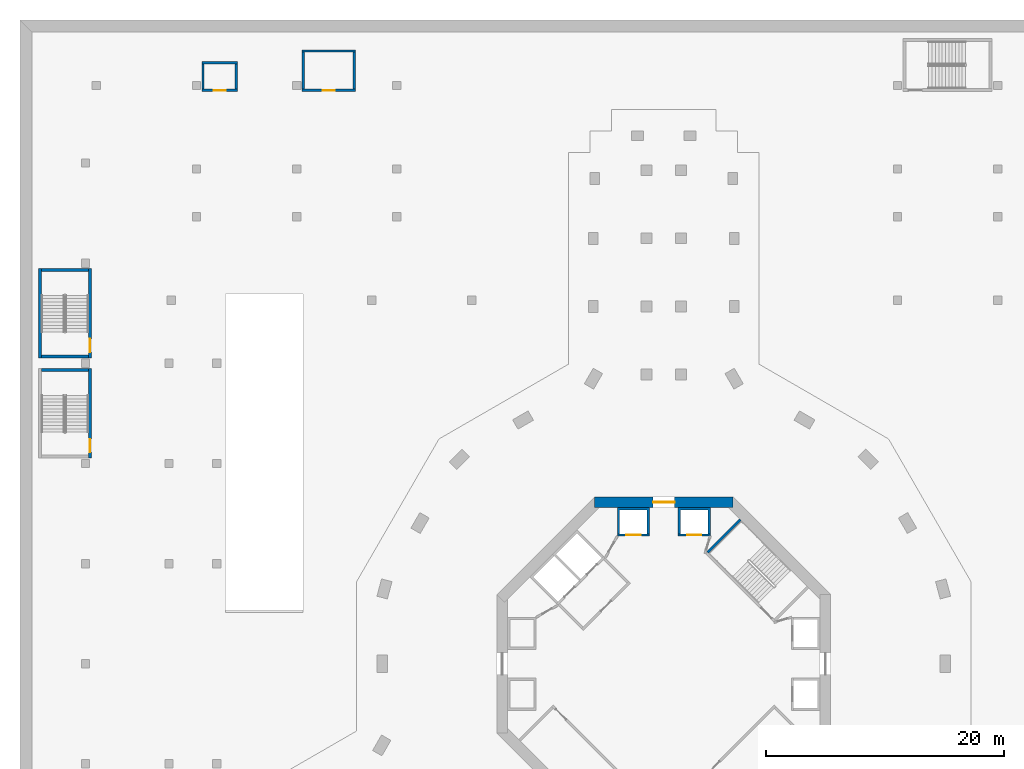
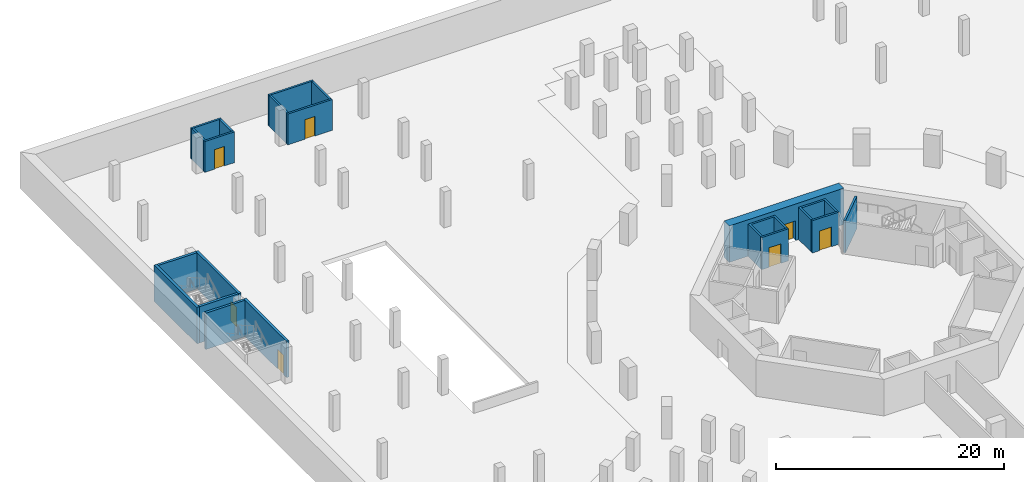
# One storey, part 10 of 25: 20 walls, 7 doors, 7 openings.
"""IFC4 building model written with IfcOpenShell, lengths in metres."""

from ifc_helpers import new_model, si_unit, direction, frame, frame_2d, origin, place, context, subcontext, project, spatial, polyline, rectangle, outline, extrude, material, layer, layer_set, type_object, element, fill, save


model = new_model("IFC4")

# Units and contexts
model_context = context("Model", 3, precision=1e-05, world=origin(), true_north=direction((0.0, 1.0)))
body_context = subcontext(model_context, "Body", "Model", "MODEL_VIEW")
ifc_project = project(units=[si_unit("LENGTHUNIT", "METRE"), si_unit("AREAUNIT", "SQUARE_METRE"), si_unit("VOLUMEUNIT", "CUBIC_METRE"), si_unit("PLANEANGLEUNIT", "RADIAN"), si_unit("MASSUNIT", "GRAM", prefix="KILO")], contexts=[model_context])

# Site, building, storey
site_placement = place(None, origin())
site = spatial("IfcSite", under=ifc_project, at=site_placement, CompositionType="ELEMENT")
building_placement = place(site_placement, origin())
building = spatial("IfcBuilding", under=site, at=building_placement, Name="Verdalira Terraces Hotel", CompositionType="ELEMENT")
storey_placement = place(building_placement, frame((0.0, 0.0, -3.899902)))
storey = spatial("IfcBuildingStorey", under=building, at=storey_placement, Name="B1", CompositionType="ELEMENT", Elevation=-3.89990234375)

# Wall
ifc_material_1 = material(Name="Concrete C50", Category="concrete")
ifc_layer_1 = layer(ifc_material_1, 0.199951171875)
ifc_layer_set_1 = layer_set([ifc_layer_1], Name="Core RC wall 200 C50")
wall_type_1 = type_object("IfcWallType", Name="Core RC wall 200 C50", PredefinedType="SOLIDWALL", material=ifc_layer_set_1)
wall_1_placement = place(storey_placement, origin())
element("IfcWall", 1, at=wall_1_placement, inside=storey, type_object=wall_type_1, Name="B1 shaft wall N1", PredefinedType="SOLIDWALL", context=body_context, shape_type="SweptSolid", body=[
    extrude(outline(polyline([(3.899902, 13.100098), (3.899902, 10.899902), (3.699951, 10.899902), (3.699951, 12.899902), (1.399902, 12.899902), (1.399902, 10.899902), (1.199951, 10.899902), (1.199951, 13.100098), (3.899902, 13.100098)])), origin(), (0.0, 0.0, 1.0), 3.449951),
])

# Wall, opening, door
wall_2_placement = place(storey_placement, frame((1.199951, 10.800049, 0.0), z_axis=(0.0, 0.0, 1.0), x_axis=(1.0, 0.0, 0.0)))
wall_2 = element("IfcWall", 2, at=wall_2_placement, inside=storey, type_object=wall_type_1, Name="B1 shaft front wall N1", PredefinedType="SOLIDWALL", context=body_context, shape_type="SweptSolid", body=[
    extrude(rectangle(XDim=2.699951, YDim=0.199951, at=frame_2d((1.350098, 0.0))), origin(), (0.0, 0.0, 1.0), 3.449951),
])
opening_1_placement = place(wall_2_placement, frame((0.75, 0.0, 0.0)))
opening_1 = element("IfcOpeningElement", 3, at=opening_1_placement, cuts=wall_2, Name="Opening LD-B1-803", PredefinedType="OPENING", context=body_context, shape_type="SweptSolid", body=[
    extrude(rectangle(XDim=1.199951, YDim=2.100098, at=frame_2d((0.600098, 1.050049))), frame((0.0, 0.109863, 0.0), z_axis=(0.0, -1.0, 0.0), x_axis=(1.0, 0.0, 0.0)), (0.0, 0.0, 1.0), 0.219971),
])
ifc_material_2 = material(Name="Stainless steel", Category="steel")
door_type_1 = type_object("IfcDoorType", Name="Landing door 1200 x 2100", OperationType="NOTDEFINED", PredefinedType="DOOR", material=ifc_material_2)
door_1_placement = place(opening_1_placement, origin())
door_1 = element("IfcDoor", 4, at=door_1_placement, inside=storey, type_object=door_type_1, Name="Lift landing door LR3 B1", OperationType="DOUBLE_DOOR_SLIDING", OverallHeight=2.10009765625, OverallWidth=1.199951171875, PredefinedType="DOOR", context=body_context, shape_type="SweptSolid", body=[
    extrude(rectangle(XDim=1.199951, YDim=2.100098, at=frame_2d((0.600098, 1.050049))), frame((0.0, 0.024902, 0.0), z_axis=(0.0, -1.0, 0.0), x_axis=(1.0, 0.0, 0.0)), (0.0, 0.0, 1.0), 0.050049),
])
fill(opening_1, door_1)

# Wall
wall_3_placement = place(storey_placement, origin())
element("IfcWall", 5, at=wall_3_placement, inside=storey, type_object=wall_type_1, Name="B1 shaft wall N2", PredefinedType="SOLIDWALL", context=body_context, shape_type="SweptSolid", body=[
    extrude(outline(polyline([(-3.899902, 10.899902), (-3.899902, 13.100098), (-1.199951, 13.100098), (-1.199951, 10.899902), (-1.399902, 10.899902), (-1.399902, 12.899902), (-3.699951, 12.899902), (-3.699951, 10.899902), (-3.899902, 10.899902)])), origin(), (0.0, 0.0, 1.0), 3.449951),
])

# Wall, opening, door
wall_4_placement = place(storey_placement, frame((-1.199951, 10.800049, 0.0), z_axis=(0.0, 0.0, 1.0), x_axis=(-1.0, 0.0, 0.0)))
wall_4 = element("IfcWall", 6, at=wall_4_placement, inside=storey, type_object=wall_type_1, Name="B1 shaft front wall N2", PredefinedType="SOLIDWALL", context=body_context, shape_type="SweptSolid", body=[
    extrude(rectangle(XDim=2.699951, YDim=0.199951, at=frame_2d((1.350098, 0.0))), origin(), (0.0, 0.0, 1.0), 3.449951),
])
opening_2_placement = place(wall_4_placement, frame((0.75, 0.0, 0.0)))
opening_2 = element("IfcOpeningElement", 7, at=opening_2_placement, cuts=wall_4, Name="Opening LD-B1-804", PredefinedType="OPENING", context=body_context, shape_type="SweptSolid", body=[
    extrude(rectangle(XDim=1.199951, YDim=2.100098, at=frame_2d((0.600098, 1.050049))), frame((0.0, 0.109863, 0.0), z_axis=(0.0, -1.0, 0.0), x_axis=(1.0, 0.0, 0.0)), (0.0, 0.0, 1.0), 0.219971),
])
door_2_placement = place(opening_2_placement, origin())
door_2 = element("IfcDoor", 8, at=door_2_placement, inside=storey, type_object=door_type_1, Name="Lift landing door LR4 B1", OperationType="DOUBLE_DOOR_SLIDING", OverallHeight=2.10009765625, OverallWidth=1.199951171875, PredefinedType="DOOR", context=body_context, shape_type="SweptSolid", body=[
    extrude(rectangle(XDim=1.199951, YDim=2.100098, at=frame_2d((0.600098, 1.050049))), frame((0.0, 0.024902, 0.0), z_axis=(0.0, -1.0, 0.0), x_axis=(1.0, 0.0, 0.0)), (0.0, 0.0, 1.0), 0.050049),
])
fill(opening_2, door_2)

# Wall
wall_5_placement = place(storey_placement, frame((3.677002, 9.33374, 0.0), z_axis=(0.0, 0.0, 1.0), x_axis=(0.707106781, 0.707106781, 0.0)))
element("IfcWall", 9, at=wall_5_placement, inside=storey, type_object=wall_type_1, Name="B1 stair ST1 end wall 2", PredefinedType="SOLIDWALL", context=body_context, shape_type="SweptSolid", body=[
    extrude(rectangle(XDim=3.900146, YDim=0.199951, at=frame_2d((1.950195, 0.0))), origin(), (0.0, 0.0, 1.0), 3.449951),
])

# Wall, opening, door
ifc_material_3 = material(Name="Concrete C70", Category="concrete")
ifc_layer_2 = layer(ifc_material_3, 0.89990234375)
ifc_layer_set_2 = layer_set([ifc_layer_2], Name="Core wall 900 C70")
wall_type_2 = type_object("IfcWallType", Name="Core wall 900 C70", PredefinedType="SHEAR", material=ifc_layer_set_2)
wall_6_placement = place(storey_placement, frame((5.799072, 13.550049, 0.0), z_axis=(0.0, 0.0, 1.0), x_axis=(-1.0, 0.0, 0.0)))
wall_6 = element("IfcWall", 10, at=wall_6_placement, inside=storey, type_object=wall_type_2, Name="Core wall CW-B1-3", PredefinedType="SHEAR", context=body_context, shape_type="SweptSolid", body=[
    extrude(rectangle(XDim=11.598145, YDim=0.899902, at=frame_2d((5.799072, 0.0))), origin(), (0.0, 0.0, 1.0), 3.899902),
])
opening_3_placement = place(wall_6_placement, frame((4.898926, 0.0, 0.0)))
opening_3 = element("IfcOpeningElement", 11, at=opening_3_placement, cuts=wall_6, Name="Opening B1-811", PredefinedType="OPENING", context=body_context, shape_type="SweptSolid", body=[
    extrude(rectangle(XDim=1.800049, YDim=2.100098, at=frame_2d((0.899902, 1.050049))), frame((0.0, 0.459961, 0.0), z_axis=(0.0, -1.0, 0.0), x_axis=(1.0, 0.0, 0.0)), (0.0, 0.0, 1.0), 0.919922),
])
ifc_material_4 = material(Name="Steel fire door", Category="steel")
door_type_2 = type_object("IfcDoorType", Name="Core entry door pair 1800 x 2100", OperationType="NOTDEFINED", PredefinedType="DOOR", material=ifc_material_4)
door_3_placement = place(opening_3_placement, origin())
door_3 = element("IfcDoor", 12, at=door_3_placement, inside=storey, type_object=door_type_2, Name="Core entry door B1 2", OperationType="DOUBLE_DOOR_SINGLE_SWING", OverallHeight=2.10009765625, OverallWidth=1.800048828125, PredefinedType="DOOR", context=body_context, shape_type="SweptSolid", body=[
    extrude(rectangle(XDim=1.800049, YDim=2.100098, at=frame_2d((0.899902, 1.050049))), frame((0.0, 0.024902, 0.0), z_axis=(0.0, -1.0, 0.0), x_axis=(1.0, 0.0, 0.0)), (0.0, 0.0, 1.0), 0.050049),
])
fill(opening_3, door_3)

ifc_material_5 = material(Name="Concrete C40", Category="concrete")
ifc_layer_3 = layer(ifc_material_5, 0.199951171875)
ifc_layer_set_3 = layer_set([ifc_layer_3], Name="Service room wall 200 C40")
wall_type_3 = type_object("IfcWallType", Name="Service room wall 200 C40", PredefinedType="PARTITIONING", material=ifc_layer_set_3)
wall_7_placement = place(storey_placement, frame((-30.350098, 48.100098, 0.0), z_axis=(0.0, 0.0, 1.0), x_axis=(1.0, 0.0, 0.0)))
wall_7 = element("IfcWall", 13, at=wall_7_placement, inside=storey, type_object=wall_type_3, Name="WC wall", PredefinedType="PARTITIONING", context=body_context, shape_type="SweptSolid", body=[
    extrude(rectangle(XDim=4.5, YDim=0.199951, at=frame_2d((2.25, 0.0))), origin(), (0.0, 0.0, 1.0), 3.299805),
])
opening_4_placement = place(wall_7_placement, frame((1.75, 0.0, 0.0)))
opening_4 = element("IfcOpeningElement", 14, at=opening_4_placement, cuts=wall_7, Name="Opening B1-D610", PredefinedType="OPENING", context=body_context, shape_type="SweptSolid", body=[
    extrude(rectangle(XDim=1.0, YDim=2.100098, at=frame_2d((0.5, 1.050049))), frame((0.0, 0.109863, 0.0), z_axis=(0.0, -1.0, 0.0), x_axis=(1.0, 0.0, 0.0)), (0.0, 0.0, 1.0), 0.219971),
])
ifc_material_6 = material(Name="Steel fire door", Category="steel")
door_type_3 = type_object("IfcDoorType", Name="Service room door 1000 x 2100", OperationType="SINGLE_SWING_LEFT", PredefinedType="DOOR", material=ifc_material_6)
door_4_placement = place(opening_4_placement, origin())
door_4 = element("IfcDoor", 15, at=door_4_placement, inside=storey, type_object=door_type_3, Name="WC door", OperationType="SINGLE_SWING_LEFT", OverallHeight=2.10009765625, OverallWidth=1.0, PredefinedType="DOOR", context=body_context, shape_type="SweptSolid", body=[
    extrude(rectangle(XDim=1.0, YDim=2.100098, at=frame_2d((0.5, 1.050049))), frame((0.0, 0.024902, 0.0), z_axis=(0.0, -1.0, 0.0), x_axis=(1.0, 0.0, 0.0)), (0.0, 0.0, 1.0), 0.050049),
])
fill(opening_4, door_4)

# Walls
wall_8_placement = place(storey_placement, frame((-30.350098, 51.399902, 0.0), z_axis=(0.0, 0.0, 1.0), x_axis=(1.0, 0.0, 0.0)))
element("IfcWall", 16, at=wall_8_placement, inside=storey, type_object=wall_type_3, Name="WC wall", PredefinedType="PARTITIONING", context=body_context, shape_type="SweptSolid", body=[
    extrude(rectangle(XDim=4.5, YDim=0.199951, at=frame_2d((2.25, 0.0))), origin(), (0.0, 0.0, 1.0), 3.299805),
])
for number, where, z_axis, x_axis, name in (
    (17, (-30.25, 48.199951, 0.0), (0.0, 0.0, 1.0), (0.0, 1.0, 0.0), "WC wall"),
    (18, (-25.949951, 48.199951, 0.0), (0.0, 0.0, 1.0), (0.0, 1.0, 0.0), "WC wall"),
):
    element("IfcWall", number, at=place(storey_placement, frame(where, z_axis=z_axis, x_axis=x_axis)), inside=storey, type_object=wall_type_3, Name=name, PredefinedType="PARTITIONING", context=body_context, shape_type="SweptSolid", body=[
        extrude(rectangle(XDim=3.100098, YDim=0.199951, at=frame_2d((1.550049, 0.0))), origin(), (0.0, 0.0, 1.0), 3.299805),
    ])

# Wall, opening, door
wall_9_placement = place(storey_placement, frame((-38.75, 48.100098, 0.0), z_axis=(0.0, 0.0, 1.0), x_axis=(1.0, 0.0, 0.0)))
wall_9 = element("IfcWall", 19, at=wall_9_placement, inside=storey, type_object=wall_type_3, Name="Accessible WC wall", PredefinedType="PARTITIONING", context=body_context, shape_type="SweptSolid", body=[
    extrude(rectangle(XDim=3.0, YDim=0.199951, at=frame_2d((1.5, 0.0))), origin(), (0.0, 0.0, 1.0), 3.299805),
])
opening_5_placement = place(wall_9_placement, frame((1.0, 0.0, 0.0)))
opening_5 = element("IfcOpeningElement", 20, at=opening_5_placement, cuts=wall_9, Name="Opening B1-D611", PredefinedType="OPENING", context=body_context, shape_type="SweptSolid", body=[
    extrude(rectangle(XDim=1.0, YDim=2.100098, at=frame_2d((0.5, 1.050049))), frame((0.0, 0.109863, 0.0), z_axis=(0.0, -1.0, 0.0), x_axis=(1.0, 0.0, 0.0)), (0.0, 0.0, 1.0), 0.219971),
])
door_5_placement = place(opening_5_placement, origin())
door_5 = element("IfcDoor", 21, at=door_5_placement, inside=storey, type_object=door_type_3, Name="Accessible WC door", OperationType="SINGLE_SWING_RIGHT", OverallHeight=2.10009765625, OverallWidth=1.0, PredefinedType="DOOR", context=body_context, shape_type="SweptSolid", body=[
    extrude(rectangle(XDim=1.0, YDim=2.100098, at=frame_2d((0.5, 1.050049))), frame((0.0, 0.024902, 0.0), z_axis=(0.0, -1.0, 0.0), x_axis=(1.0, 0.0, 0.0)), (0.0, 0.0, 1.0), 0.050049),
])
fill(opening_5, door_5)

# Walls
wall_10_placement = place(storey_placement, frame((-38.75, 50.399902, 0.0), z_axis=(0.0, 0.0, 1.0), x_axis=(1.0, 0.0, 0.0)))
element("IfcWall", 22, at=wall_10_placement, inside=storey, type_object=wall_type_3, Name="Accessible WC wall", PredefinedType="PARTITIONING", context=body_context, shape_type="SweptSolid", body=[
    extrude(rectangle(XDim=3.0, YDim=0.199951, at=frame_2d((1.5, 0.0))), origin(), (0.0, 0.0, 1.0), 3.299805),
])
for number, where, z_axis, x_axis, name in (
    (23, (-38.649902, 48.199951, 0.0), (0.0, 0.0, 1.0), (0.0, 1.0, 0.0), "Accessible WC wall"),
    (24, (-35.850098, 48.199951, 0.0), (0.0, 0.0, 1.0), (0.0, 1.0, 0.0), "Accessible WC wall"),
):
    element("IfcWall", number, at=place(storey_placement, frame(where, z_axis=z_axis, x_axis=x_axis)), inside=storey, type_object=wall_type_3, Name=name, PredefinedType="PARTITIONING", context=body_context, shape_type="SweptSolid", body=[
        extrude(rectangle(XDim=2.100098, YDim=0.199951, at=frame_2d((1.050049, 0.0))), origin(), (0.0, 0.0, 1.0), 3.299805),
    ])
ifc_material_7 = material(Name="Concrete C40", Category="concrete")
ifc_layer_4 = layer(ifc_material_7, 0.25)
ifc_layer_set_4 = layer_set([ifc_layer_4], Name="Stair enclosure wall 250 C40")
wall_type_4 = type_object("IfcWallType", Name="Stair enclosure wall 250 C40", PredefinedType="SOLIDWALL", material=ifc_layer_set_4)
wall_11_placement = place(storey_placement, frame((-52.324951, 25.649902, 0.0), z_axis=(0.0, 0.0, 1.0), x_axis=(0.0, 1.0, 0.0)))
element("IfcWall", 25, at=wall_11_placement, inside=storey, type_object=wall_type_4, Name="Stair BS4 enclosure wall", PredefinedType="SOLIDWALL", context=body_context, shape_type="SweptSolid", body=[
    extrude(rectangle(XDim=7.5, YDim=0.25, at=frame_2d((3.75, 0.0))), origin(), (0.0, 0.0, 1.0), 3.899902),
])

# Wall, opening, door
wall_12_placement = place(storey_placement, frame((-48.125, 25.649902, 0.0), z_axis=(0.0, 0.0, 1.0), x_axis=(0.0, 1.0, 0.0)))
wall_12 = element("IfcWall", 26, at=wall_12_placement, inside=storey, type_object=wall_type_4, Name="Stair BS4 enclosure wall", PredefinedType="SOLIDWALL", context=body_context, shape_type="SweptSolid", body=[
    extrude(rectangle(XDim=7.5, YDim=0.25, at=frame_2d((3.75, 0.0))), origin(), (0.0, 0.0, 1.0), 3.899902),
])
opening_6_placement = place(wall_12_placement, frame((0.5, 0.0, 0.0)))
opening_6 = element("IfcOpeningElement", 27, at=opening_6_placement, cuts=wall_12, Name="Opening B1-D604", PredefinedType="OPENING", context=body_context, shape_type="SweptSolid", body=[
    extrude(rectangle(XDim=1.100098, YDim=2.100098, at=frame_2d((0.550049, 1.050049))), frame((0.0, 0.13501, 0.0), z_axis=(0.0, -1.0, 0.0), x_axis=(1.0, 0.0, 0.0)), (0.0, 0.0, 1.0), 0.27002),
])
ifc_material_8 = material(Name="Steel fire door", Category="steel")
door_type_4 = type_object("IfcDoorType", Name="Stair door 1100 x 2100", OperationType="SINGLE_SWING_LEFT", PredefinedType="DOOR", material=ifc_material_8)
door_6_placement = place(opening_6_placement, origin())
door_6 = element("IfcDoor", 28, at=door_6_placement, inside=storey, type_object=door_type_4, Name="Stair BS4 door", OperationType="SINGLE_SWING_LEFT", OverallHeight=2.10009765625, OverallWidth=1.10009765625, PredefinedType="DOOR", context=body_context, shape_type="SweptSolid", body=[
    extrude(rectangle(XDim=1.100098, YDim=2.100098, at=frame_2d((0.550049, 1.050049))), frame((0.0, 0.024902, 0.0), z_axis=(0.0, -1.0, 0.0), x_axis=(1.0, 0.0, 0.0)), (0.0, 0.0, 1.0), 0.050049),
])
fill(opening_6, door_6)

# Walls
for number, where, z_axis, x_axis, name in (
    (29, (-48.25, 25.774902, 0.0), (0.0, 0.0, 1.0), (-1.0, 0.0, 0.0), "Stair BS4 enclosure wall"),
    (30, (-48.25, 33.024902, 0.0), (0.0, 0.0, 1.0), (-1.0, 0.0, 0.0), "Stair BS4 enclosure wall"),
):
    element("IfcWall", number, at=place(storey_placement, frame(where, z_axis=z_axis, x_axis=x_axis)), inside=storey, type_object=wall_type_4, Name=name, PredefinedType="SOLIDWALL", context=body_context, shape_type="SweptSolid", body=[
        extrude(rectangle(XDim=3.949951, YDim=0.25, at=frame_2d((1.975098, 0.0))), origin(), (0.0, 0.0, 1.0), 3.899902),
    ])

# Wall, opening, door
wall_13_placement = place(storey_placement, frame((-48.125, 17.25, 0.0), z_axis=(0.0, 0.0, 1.0), x_axis=(0.0, 1.0, 0.0)))
wall_13 = element("IfcWall", 31, at=wall_13_placement, inside=storey, type_object=wall_type_4, Name="Stair BS7 enclosure wall", PredefinedType="SOLIDWALL", context=body_context, shape_type="SweptSolid", body=[
    extrude(rectangle(XDim=7.5, YDim=0.25, at=frame_2d((3.75, 0.0))), origin(), (0.0, 0.0, 1.0), 3.899902),
])
opening_7_placement = place(wall_13_placement, frame((0.5, 0.0, 0.0)))
opening_7 = element("IfcOpeningElement", 32, at=opening_7_placement, cuts=wall_13, Name="Opening B1-D607", PredefinedType="OPENING", context=body_context, shape_type="SweptSolid", body=[
    extrude(rectangle(XDim=1.100098, YDim=2.100098, at=frame_2d((0.550049, 1.050049))), frame((0.0, 0.13501, 0.0), z_axis=(0.0, -1.0, 0.0), x_axis=(1.0, 0.0, 0.0)), (0.0, 0.0, 1.0), 0.27002),
])
door_7_placement = place(opening_7_placement, origin())
door_7 = element("IfcDoor", 33, at=door_7_placement, inside=storey, type_object=door_type_4, Name="Stair BS7 door", OperationType="SINGLE_SWING_LEFT", OverallHeight=2.10009765625, OverallWidth=1.10009765625, PredefinedType="DOOR", context=body_context, shape_type="SweptSolid", body=[
    extrude(rectangle(XDim=1.100098, YDim=2.100098, at=frame_2d((0.550049, 1.050049))), frame((0.0, 0.024902, 0.0), z_axis=(0.0, -1.0, 0.0), x_axis=(1.0, 0.0, 0.0)), (0.0, 0.0, 1.0), 0.050049),
])
fill(opening_7, door_7)

# Wall
wall_14_placement = place(storey_placement, frame((-48.25, 24.625, 0.0), z_axis=(0.0, 0.0, 1.0), x_axis=(-1.0, 0.0, 0.0)))
element("IfcWall", 34, at=wall_14_placement, inside=storey, type_object=wall_type_4, Name="Stair BS7 enclosure wall", PredefinedType="SOLIDWALL", context=body_context, shape_type="SweptSolid", body=[
    extrude(rectangle(XDim=3.949951, YDim=0.25, at=frame_2d((1.975098, 0.0))), origin(), (0.0, 0.0, 1.0), 3.899902),
])

save(model, "model.ifc")
